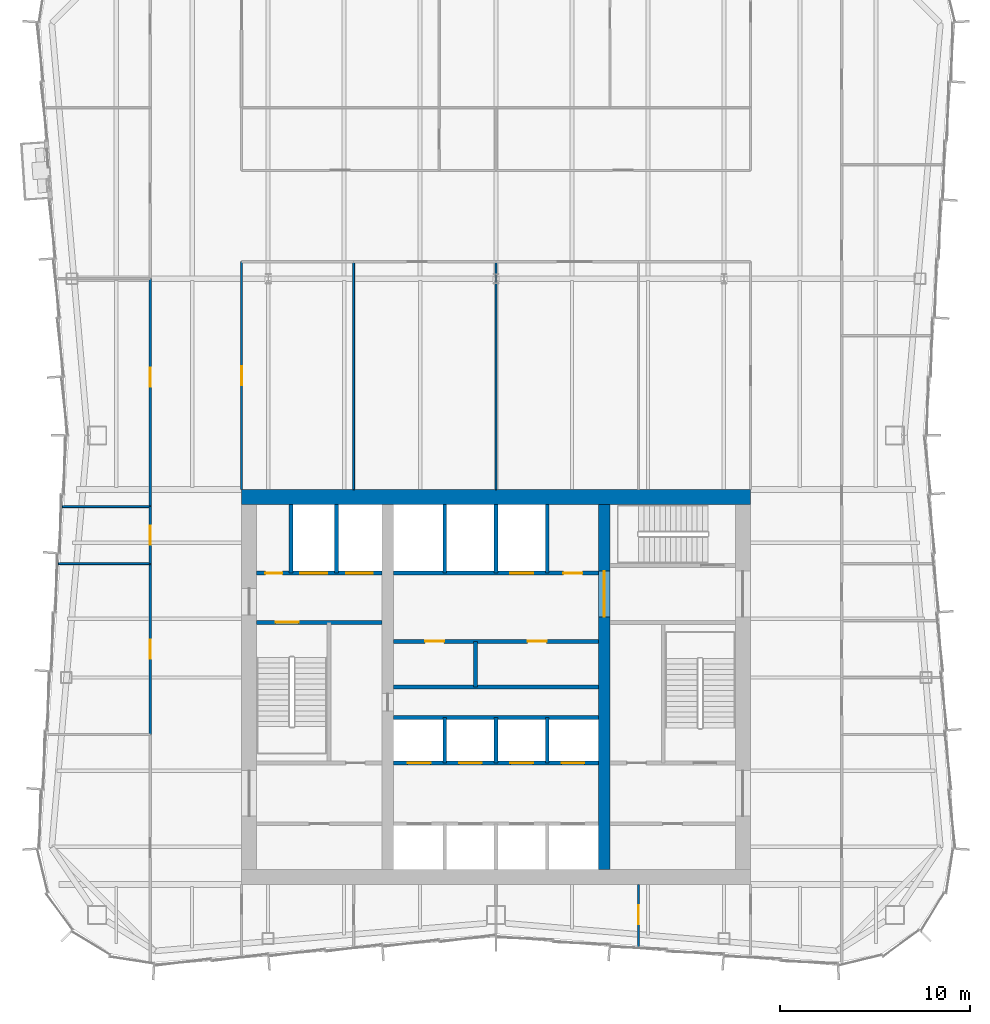
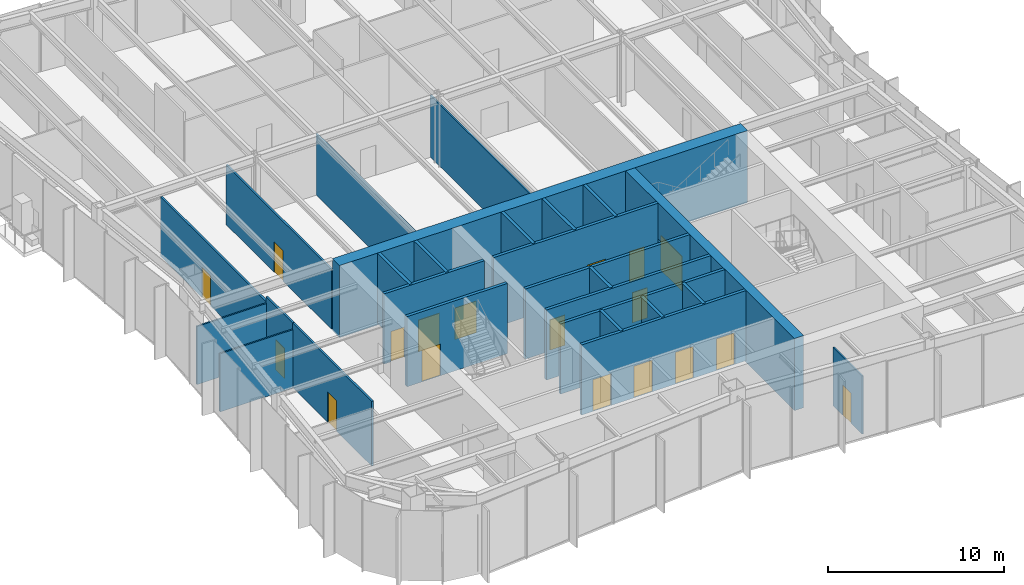
# One storey, part 11 of 15: 27 walls, 18 doors, 18 openings.
"""IFC4 building model written with IfcOpenShell, lengths in metres."""

from ifc_helpers import new_model, si_unit, direction, frame, frame_2d, origin, place, context, subcontext, project, spatial, rectangle, extrude, material, layer, layer_set, type_object, element, fill, save


model = new_model("IFC4")

# Units and contexts
model_context = context("Model", 3, precision=1e-05, world=origin(), true_north=direction((0.0, 1.0)))
body_context = subcontext(model_context, "Body", "Model", "MODEL_VIEW")
ifc_project = project(units=[si_unit("LENGTHUNIT", "METRE"), si_unit("AREAUNIT", "SQUARE_METRE"), si_unit("VOLUMEUNIT", "CUBIC_METRE"), si_unit("PLANEANGLEUNIT", "RADIAN"), si_unit("MASSUNIT", "GRAM", prefix="KILO")], contexts=[model_context])

# Site, building, storey
site_placement = place(None, origin())
site = spatial("IfcSite", under=ifc_project, at=site_placement, CompositionType="ELEMENT")
building_placement = place(site_placement, origin())
building = spatial("IfcBuilding", under=site, at=building_placement, Name="Verdant Reach Tower", CompositionType="ELEMENT")
storey_placement = place(building_placement, frame((0.0, 0.0, 233.0)))
storey = spatial("IfcBuildingStorey", under=building, at=storey_placement, Name="L53", CompositionType="ELEMENT", Elevation=233.0)

# Wall
ifc_material_1 = material(Name="Gypsum board on steel studs", Category="steel")
ifc_layer_1 = layer(ifc_material_1, 0.199951171875)
ifc_layer_set_1 = layer_set([ifc_layer_1], Name="CO-WALL-ROOM")
wall_type_1 = type_object("IfcWallType", Name="CO-WALL-ROOM", PredefinedType="PARTITIONING", material=ifc_layer_set_1)
wall_1_placement = place(storey_placement, frame((-5.39990234375, 28.0, 0.0), z_axis=(0.0, 0.0, 1.0), x_axis=(1.0, 0.0, 0.0)))
element("IfcWall", 1, at=wall_1_placement, inside=storey, type_object=wall_type_1, Name="Core partition, L53", PredefinedType="PARTITIONING", context=body_context, shape_type="SweptSolid", body=[
    extrude(rectangle(XDim=10.7998046875, YDim=0.199951171875, at=frame_2d((5.39990234375, 0.0))), origin(), (0.0, 0.0, 1.0), 4.8701171875),
])

# Wall, openings, doors
wall_2_placement = place(storey_placement, frame((-5.39990234375, 30.39990234375, 0.0), z_axis=(0.0, 0.0, 1.0), x_axis=(1.0, 0.0, 0.0)))
wall_2 = element("IfcWall", 2, at=wall_2_placement, inside=storey, type_object=wall_type_1, Name="Core partition, L53", PredefinedType="PARTITIONING", context=body_context, shape_type="SweptSolid", body=[
    extrude(rectangle(XDim=10.7998046875, YDim=0.199951171875, at=frame_2d((5.39990234375, 0.0))), origin(), (0.0, 0.0, 1.0), 4.8701171875),
])
opening_1_placement = place(wall_2_placement, frame((1.659912109375, 0.0, 0.0)))
opening_1 = element("IfcOpeningElement", 3, at=opening_1_placement, cuts=wall_2, Name="Opening CD", PredefinedType="OPENING", context=body_context, shape_type="SweptSolid", body=[
    extrude(rectangle(XDim=1.0, YDim=2.10009765625, at=frame_2d((0.5, 1.050048828125))), frame((0.0, 0.10986328125, 0.0), z_axis=(0.0, -1.0, 0.0), x_axis=(1.0, 0.0, 0.0)), (0.0, 0.0, 1.0), 0.219970703125),
])
opening_2_placement = place(wall_2_placement, frame((7.06005859375, 0.0, 0.0)))
opening_2 = element("IfcOpeningElement", 4, at=opening_2_placement, cuts=wall_2, Name="Opening CD", PredefinedType="OPENING", context=body_context, shape_type="SweptSolid", body=[
    extrude(rectangle(XDim=1.0, YDim=2.10009765625, at=frame_2d((0.5, 1.050048828125))), frame((0.0, 0.10986328125, 0.0), z_axis=(0.0, -1.0, 0.0), x_axis=(1.0, 0.0, 0.0)), (0.0, 0.0, 1.0), 0.219970703125),
])
ifc_material_2 = material(Name="Timber", Category="wood")
door_type_1 = type_object("IfcDoorType", Name="CO-DOOR-ROOM", OperationType="NOTDEFINED", PredefinedType="DOOR", material=ifc_material_2)
door_1_placement = place(opening_1_placement, origin())
door_1 = element("IfcDoor", 5, at=door_1_placement, inside=storey, type_object=door_type_1, Name="Core room door, L53", OperationType="SINGLE_SWING_RIGHT", OverallHeight=2.10009765625, OverallWidth=1.0, PredefinedType="DOOR", context=body_context, shape_type="SweptSolid", body=[
    extrude(rectangle(XDim=1.0, YDim=2.10009765625, at=frame_2d((0.5, 1.050048828125))), frame((0.0, 0.02490234375, 0.0), z_axis=(0.0, -1.0, 0.0), x_axis=(1.0, 0.0, 0.0)), (0.0, 0.0, 1.0), 0.050048828125),
])
fill(opening_1, door_1)
door_2_placement = place(opening_2_placement, origin())
door_2 = element("IfcDoor", 6, at=door_2_placement, inside=storey, type_object=door_type_1, Name="Core room door, L53", OperationType="SINGLE_SWING_LEFT", OverallHeight=2.10009765625, OverallWidth=1.0, PredefinedType="DOOR", context=body_context, shape_type="SweptSolid", body=[
    extrude(rectangle(XDim=1.0, YDim=2.10009765625, at=frame_2d((0.5, 1.050048828125))), frame((0.0, 0.02490234375, 0.0), z_axis=(0.0, -1.0, 0.0), x_axis=(1.0, 0.0, 0.0)), (0.0, 0.0, 1.0), 0.050048828125),
])
fill(opening_2, door_2)

# Wall
wall_3_placement = place(storey_placement, frame((-1.080078125, 28.0, 0.0), z_axis=(0.0, 0.0, 1.0), x_axis=(0.0, 1.0, 0.0)))
element("IfcWall", 7, at=wall_3_placement, inside=storey, type_object=wall_type_1, Name="Core partition, L53", PredefinedType="PARTITIONING", context=body_context, shape_type="SweptSolid", body=[
    extrude(rectangle(XDim=2.39990234375, YDim=0.199951171875, at=frame_2d((1.199951171875, 0.0))), origin(), (0.0, 0.0, 1.0), 4.8701171875),
])

# Wall, openings, doors
ifc_material_3 = material(Name="Concrete C40/50", Category="concrete")
ifc_layer_2 = layer(ifc_material_3, 0.199951171875)
ifc_layer_set_2 = layer_set([ifc_layer_2], Name="CO-WALL-SHAFT")
wall_type_2 = type_object("IfcWallType", Name="CO-WALL-SHAFT", PredefinedType="PARTITIONING", material=ifc_layer_set_2)
wall_4_placement = place(storey_placement, frame((-5.39990234375, 24.0, 0.0), z_axis=(0.0, 0.0, 1.0), x_axis=(1.0, 0.0, 0.0)))
wall_4 = element("IfcWall", 8, at=wall_4_placement, inside=storey, type_object=wall_type_2, Name="Lift shaft wall, L53", PredefinedType="PARTITIONING", context=body_context, shape_type="SweptSolid", body=[
    extrude(rectangle(XDim=10.7998046875, YDim=0.199951171875, at=frame_2d((5.39990234375, 0.0))), origin(), (0.0, 0.0, 1.0), 4.8701171875),
])
opening_3_placement = place(wall_4_placement, frame((0.75, 0.0, 0.0)))
opening_3 = element("IfcOpeningElement", 9, at=opening_3_placement, cuts=wall_4, Name="Opening LD-A5", PredefinedType="OPENING", context=body_context, shape_type="SweptSolid", body=[
    extrude(rectangle(XDim=1.199951171875, YDim=2.199951171875, at=frame_2d((0.60009765625, 1.10009765625))), frame((0.0, 0.10986328125, 0.0), z_axis=(0.0, -1.0, 0.0), x_axis=(1.0, 0.0, 0.0)), (0.0, 0.0, 1.0), 0.219970703125),
])
opening_4_placement = place(wall_4_placement, frame((3.449951171875, 0.0, 0.0)))
opening_4 = element("IfcOpeningElement", 10, at=opening_4_placement, cuts=wall_4, Name="Opening LD-A6", PredefinedType="OPENING", context=body_context, shape_type="SweptSolid", body=[
    extrude(rectangle(XDim=1.199951171875, YDim=2.199951171875, at=frame_2d((0.60009765625, 1.10009765625))), frame((0.0, 0.10986328125, 0.0), z_axis=(0.0, -1.0, 0.0), x_axis=(1.0, 0.0, 0.0)), (0.0, 0.0, 1.0), 0.219970703125),
])
opening_5_placement = place(wall_4_placement, frame((6.14990234375, 0.0, 0.0)))
opening_5 = element("IfcOpeningElement", 11, at=opening_5_placement, cuts=wall_4, Name="Opening LD-A7", PredefinedType="OPENING", context=body_context, shape_type="SweptSolid", body=[
    extrude(rectangle(XDim=1.199951171875, YDim=2.199951171875, at=frame_2d((0.60009765625, 1.10009765625))), frame((0.0, 0.10986328125, 0.0), z_axis=(0.0, -1.0, 0.0), x_axis=(1.0, 0.0, 0.0)), (0.0, 0.0, 1.0), 0.219970703125),
])
opening_6_placement = place(wall_4_placement, frame((8.85009765625, 0.0, 0.0)))
opening_6 = element("IfcOpeningElement", 12, at=opening_6_placement, cuts=wall_4, Name="Opening LD-A8", PredefinedType="OPENING", context=body_context, shape_type="SweptSolid", body=[
    extrude(rectangle(XDim=1.199951171875, YDim=2.199951171875, at=frame_2d((0.60009765625, 1.10009765625))), frame((0.0, 0.10986328125, 0.0), z_axis=(0.0, -1.0, 0.0), x_axis=(1.0, 0.0, 0.0)), (0.0, 0.0, 1.0), 0.219970703125),
])
ifc_material_4 = material(Name="Stainless steel", Category="steel")
door_type_2 = type_object("IfcDoorType", Name="CO-DOOR-LANDING", OperationType="SLIDING_TO_LEFT", PredefinedType="DOOR", material=ifc_material_4)
door_3_placement = place(opening_3_placement, origin())
door_3 = element("IfcDoor", 13, at=door_3_placement, inside=storey, type_object=door_type_2, Name="Landing door A5, L53", OperationType="SLIDING_TO_LEFT", OverallHeight=2.199951171875, OverallWidth=1.199951171875, PredefinedType="DOOR", context=body_context, shape_type="SweptSolid", body=[
    extrude(rectangle(XDim=1.199951171875, YDim=2.199951171875, at=frame_2d((0.60009765625, 1.10009765625))), frame((0.0, 0.02490234375, 0.0), z_axis=(0.0, -1.0, 0.0), x_axis=(1.0, 0.0, 0.0)), (0.0, 0.0, 1.0), 0.050048828125),
])
fill(opening_3, door_3)
door_4_placement = place(opening_4_placement, origin())
door_4 = element("IfcDoor", 14, at=door_4_placement, inside=storey, type_object=door_type_2, Name="Landing door A6, L53", OperationType="SLIDING_TO_LEFT", OverallHeight=2.199951171875, OverallWidth=1.199951171875, PredefinedType="DOOR", context=body_context, shape_type="SweptSolid", body=[
    extrude(rectangle(XDim=1.199951171875, YDim=2.199951171875, at=frame_2d((0.60009765625, 1.10009765625))), frame((0.0, 0.02490234375, 0.0), z_axis=(0.0, -1.0, 0.0), x_axis=(1.0, 0.0, 0.0)), (0.0, 0.0, 1.0), 0.050048828125),
])
fill(opening_4, door_4)
door_5_placement = place(opening_5_placement, origin())
door_5 = element("IfcDoor", 15, at=door_5_placement, inside=storey, type_object=door_type_2, Name="Landing door A7, L53", OperationType="SLIDING_TO_LEFT", OverallHeight=2.199951171875, OverallWidth=1.199951171875, PredefinedType="DOOR", context=body_context, shape_type="SweptSolid", body=[
    extrude(rectangle(XDim=1.199951171875, YDim=2.199951171875, at=frame_2d((0.60009765625, 1.10009765625))), frame((0.0, 0.02490234375, 0.0), z_axis=(0.0, -1.0, 0.0), x_axis=(1.0, 0.0, 0.0)), (0.0, 0.0, 1.0), 0.050048828125),
])
fill(opening_5, door_5)
door_6_placement = place(opening_6_placement, origin())
door_6 = element("IfcDoor", 16, at=door_6_placement, inside=storey, type_object=door_type_2, Name="Landing door A8, L53", OperationType="SLIDING_TO_LEFT", OverallHeight=2.199951171875, OverallWidth=1.199951171875, PredefinedType="DOOR", context=body_context, shape_type="SweptSolid", body=[
    extrude(rectangle(XDim=1.199951171875, YDim=2.199951171875, at=frame_2d((0.60009765625, 1.10009765625))), frame((0.0, 0.02490234375, 0.0), z_axis=(0.0, -1.0, 0.0), x_axis=(1.0, 0.0, 0.0)), (0.0, 0.0, 1.0), 0.050048828125),
])
fill(opening_6, door_6)

# Wall
wall_5_placement = place(storey_placement, frame((-5.39990234375, 26.39990234375, 0.0), z_axis=(0.0, 0.0, 1.0), x_axis=(1.0, 0.0, 0.0)))
element("IfcWall", 17, at=wall_5_placement, inside=storey, type_object=wall_type_2, Name="Lift shaft wall, L53", PredefinedType="PARTITIONING", context=body_context, shape_type="SweptSolid", body=[
    extrude(rectangle(XDim=10.7998046875, YDim=0.199951171875, at=frame_2d((5.39990234375, 0.0))), origin(), (0.0, 0.0, 1.0), 4.8701171875),
])

# Wall, openings, doors
wall_6_placement = place(storey_placement, frame((-12.60009765625, 34.0, 0.0), z_axis=(0.0, 0.0, 1.0), x_axis=(1.0, 0.0, 0.0)))
wall_6 = element("IfcWall", 18, at=wall_6_placement, inside=storey, type_object=wall_type_2, Name="Lift shaft wall, L53", PredefinedType="PARTITIONING", context=body_context, shape_type="SweptSolid", body=[
    extrude(rectangle(XDim=6.60009765625, YDim=0.199951171875, at=frame_2d((3.300048828125, 0.0))), origin(), (0.0, 0.0, 1.0), 4.8701171875),
])
opening_7_placement = place(wall_6_placement, frame((4.699951171875, 0.0, 0.0)))
opening_7 = element("IfcOpeningElement", 19, at=opening_7_placement, cuts=wall_6, Name="Opening LD-F1", PredefinedType="OPENING", context=body_context, shape_type="SweptSolid", body=[
    extrude(rectangle(XDim=1.39990234375, YDim=2.199951171875, at=frame_2d((0.699951171875, 1.10009765625))), frame((0.0, 0.10986328125, 0.0), z_axis=(0.0, -1.0, 0.0), x_axis=(1.0, 0.0, 0.0)), (0.0, 0.0, 1.0), 0.219970703125),
])
opening_8_placement = place(wall_6_placement, frame((2.300048828125, 0.0, 0.0)))
opening_8 = element("IfcOpeningElement", 20, at=opening_8_placement, cuts=wall_6, Name="Opening LD-F2", PredefinedType="OPENING", context=body_context, shape_type="SweptSolid", body=[
    extrude(rectangle(XDim=1.39990234375, YDim=2.199951171875, at=frame_2d((0.699951171875, 1.10009765625))), frame((0.0, 0.10986328125, 0.0), z_axis=(0.0, -1.0, 0.0), x_axis=(1.0, 0.0, 0.0)), (0.0, 0.0, 1.0), 0.219970703125),
])
opening_9_placement = place(wall_6_placement, frame((0.449951171875, 0.0, 0.0)))
opening_9 = element("IfcOpeningElement", 21, at=opening_9_placement, cuts=wall_6, Name="Opening RD", PredefinedType="OPENING", context=body_context, shape_type="SweptSolid", body=[
    extrude(rectangle(XDim=0.89990234375, YDim=2.10009765625, at=frame_2d((0.449951171875, 1.050048828125))), frame((0.0, 0.10986328125, 0.0), z_axis=(0.0, -1.0, 0.0), x_axis=(1.0, 0.0, 0.0)), (0.0, 0.0, 1.0), 0.219970703125),
])
door_type_3 = type_object("IfcDoorType", Name="CO-DOOR-LANDING-FF", OperationType="SLIDING_TO_LEFT", PredefinedType="DOOR", material=ifc_material_4)
door_7_placement = place(opening_7_placement, origin())
door_7 = element("IfcDoor", 22, at=door_7_placement, inside=storey, type_object=door_type_3, Name="Landing door F1, L53", OperationType="SLIDING_TO_LEFT", OverallHeight=2.199951171875, OverallWidth=1.39990234375, PredefinedType="DOOR", context=body_context, shape_type="SweptSolid", body=[
    extrude(rectangle(XDim=1.39990234375, YDim=2.199951171875, at=frame_2d((0.699951171875, 1.10009765625))), frame((0.0, 0.02490234375, 0.0), z_axis=(0.0, -1.0, 0.0), x_axis=(1.0, 0.0, 0.0)), (0.0, 0.0, 1.0), 0.050048828125),
])
fill(opening_7, door_7)
door_8_placement = place(opening_8_placement, origin())
door_8 = element("IfcDoor", 23, at=door_8_placement, inside=storey, type_object=door_type_3, Name="Landing door F2, L53", OperationType="SLIDING_TO_LEFT", OverallHeight=2.199951171875, OverallWidth=1.39990234375, PredefinedType="DOOR", context=body_context, shape_type="SweptSolid", body=[
    extrude(rectangle(XDim=1.39990234375, YDim=2.199951171875, at=frame_2d((0.699951171875, 1.10009765625))), frame((0.0, 0.02490234375, 0.0), z_axis=(0.0, -1.0, 0.0), x_axis=(1.0, 0.0, 0.0)), (0.0, 0.0, 1.0), 0.050048828125),
])
fill(opening_8, door_8)
ifc_material_5 = material(Name="Steel", Category="steel")
door_type_4 = type_object("IfcDoorType", Name="CO-DOOR-RISER", OperationType="NOTDEFINED", PredefinedType="DOOR", material=ifc_material_5)
door_9_placement = place(opening_9_placement, origin())
door_9 = element("IfcDoor", 24, at=door_9_placement, inside=storey, type_object=door_type_4, Name="Core room door, L53", OperationType="SINGLE_SWING_RIGHT", OverallHeight=2.10009765625, OverallWidth=0.89990234375, PredefinedType="DOOR", context=body_context, shape_type="SweptSolid", body=[
    extrude(rectangle(XDim=0.89990234375, YDim=2.10009765625, at=frame_2d((0.449951171875, 1.050048828125))), frame((0.0, 0.02490234375, 0.0), z_axis=(0.0, -1.0, 0.0), x_axis=(1.0, 0.0, 0.0)), (0.0, 0.0, 1.0), 0.050048828125),
])
fill(opening_9, door_9)

wall_7_placement = place(storey_placement, frame((-5.39990234375, 34.0, 0.0), z_axis=(0.0, 0.0, 1.0), x_axis=(1.0, 0.0, 0.0)))
wall_7 = element("IfcWall", 25, at=wall_7_placement, inside=storey, type_object=wall_type_2, Name="Lift shaft wall, L53", PredefinedType="PARTITIONING", context=body_context, shape_type="SweptSolid", body=[
    extrude(rectangle(XDim=10.7998046875, YDim=0.199951171875, at=frame_2d((5.39990234375, 0.0))), origin(), (0.0, 0.0, 1.0), 4.8701171875),
])
opening_10_placement = place(wall_7_placement, frame((6.14990234375, 0.0, 0.0)))
opening_10 = element("IfcOpeningElement", 26, at=opening_10_placement, cuts=wall_7, Name="Opening LD-SL1", PredefinedType="OPENING", context=body_context, shape_type="SweptSolid", body=[
    extrude(rectangle(XDim=1.199951171875, YDim=2.199951171875, at=frame_2d((0.60009765625, 1.10009765625))), frame((0.0, 0.10986328125, 0.0), z_axis=(0.0, -1.0, 0.0), x_axis=(1.0, 0.0, 0.0)), (0.0, 0.0, 1.0), 0.219970703125),
])
opening_11_placement = place(wall_7_placement, frame((8.949951171875, 0.0, 0.0)))
opening_11 = element("IfcOpeningElement", 27, at=opening_11_placement, cuts=wall_7, Name="Opening CD", PredefinedType="OPENING", context=body_context, shape_type="SweptSolid", body=[
    extrude(rectangle(XDim=1.0, YDim=2.10009765625, at=frame_2d((0.5, 1.050048828125))), frame((0.0, 0.10986328125, 0.0), z_axis=(0.0, -1.0, 0.0), x_axis=(1.0, 0.0, 0.0)), (0.0, 0.0, 1.0), 0.219970703125),
])
door_10_placement = place(opening_10_placement, origin())
door_10 = element("IfcDoor", 28, at=door_10_placement, inside=storey, type_object=door_type_2, Name="Landing door SL1, L53", OperationType="SLIDING_TO_LEFT", OverallHeight=2.199951171875, OverallWidth=1.199951171875, PredefinedType="DOOR", context=body_context, shape_type="SweptSolid", body=[
    extrude(rectangle(XDim=1.199951171875, YDim=2.199951171875, at=frame_2d((0.60009765625, 1.10009765625))), frame((0.0, 0.02490234375, 0.0), z_axis=(0.0, -1.0, 0.0), x_axis=(1.0, 0.0, 0.0)), (0.0, 0.0, 1.0), 0.050048828125),
])
fill(opening_10, door_10)
door_11_placement = place(opening_11_placement, origin())
door_11 = element("IfcDoor", 29, at=door_11_placement, inside=storey, type_object=door_type_1, Name="Core room door, L53", OperationType="SINGLE_SWING_LEFT", OverallHeight=2.10009765625, OverallWidth=1.0, PredefinedType="DOOR", context=body_context, shape_type="SweptSolid", body=[
    extrude(rectangle(XDim=1.0, YDim=2.10009765625, at=frame_2d((0.5, 1.050048828125))), frame((0.0, 0.02490234375, 0.0), z_axis=(0.0, -1.0, 0.0), x_axis=(1.0, 0.0, 0.0)), (0.0, 0.0, 1.0), 0.050048828125),
])
fill(opening_11, door_11)

# Walls
for number, where, z_axis, x_axis, name in (
    (30, (-10.800048828125, 34.0, 0.0), (0.0, 0.0, 1.0), (0.0, 1.0, 0.0), "Lift shaft wall, L53"),
    (31, (-8.39990234375, 34.0, 0.0), (0.0, 0.0, 1.0), (0.0, 1.0, 0.0), "Lift shaft wall, L53"),
):
    element("IfcWall", number, at=place(storey_placement, frame(where, z_axis=z_axis, x_axis=x_axis)), inside=storey, type_object=wall_type_2, Name=name, PredefinedType="PARTITIONING", context=body_context, shape_type="SweptSolid", body=[
        extrude(rectangle(XDim=3.60009765625, YDim=0.199951171875, at=frame_2d((1.800048828125, 0.0))), origin(), (0.0, 0.0, 1.0), 4.8701171875),
    ])
wall_8_placement = place(storey_placement, frame((-2.699951171875, 24.0, 0.0), z_axis=(0.0, 0.0, 1.0), x_axis=(0.0, 1.0, 0.0)))
element("IfcWall", 32, at=wall_8_placement, inside=storey, type_object=wall_type_2, Name="Lift shaft wall, L53", PredefinedType="PARTITIONING", context=body_context, shape_type="SweptSolid", body=[
    extrude(rectangle(XDim=2.39990234375, YDim=0.199951171875, at=frame_2d((1.199951171875, 0.0))), origin(), (0.0, 0.0, 1.0), 4.8701171875),
])
wall_9_placement = place(storey_placement, frame((-2.699951171875, 34.0, 0.0), z_axis=(0.0, 0.0, 1.0), x_axis=(0.0, 1.0, 0.0)))
element("IfcWall", 33, at=wall_9_placement, inside=storey, type_object=wall_type_2, Name="Lift shaft wall, L53", PredefinedType="PARTITIONING", context=body_context, shape_type="SweptSolid", body=[
    extrude(rectangle(XDim=3.60009765625, YDim=0.199951171875, at=frame_2d((1.800048828125, 0.0))), origin(), (0.0, 0.0, 1.0), 4.8701171875),
])
wall_10_placement = place(storey_placement, frame((0.0, 24.0, 0.0), z_axis=(0.0, 0.0, 1.0), x_axis=(0.0, 1.0, 0.0)))
element("IfcWall", 34, at=wall_10_placement, inside=storey, type_object=wall_type_2, Name="Lift shaft wall, L53", PredefinedType="PARTITIONING", context=body_context, shape_type="SweptSolid", body=[
    extrude(rectangle(XDim=2.39990234375, YDim=0.199951171875, at=frame_2d((1.199951171875, 0.0))), origin(), (0.0, 0.0, 1.0), 4.8701171875),
])
wall_11_placement = place(storey_placement, frame((0.0, 34.0, 0.0), z_axis=(0.0, 0.0, 1.0), x_axis=(0.0, 1.0, 0.0)))
element("IfcWall", 35, at=wall_11_placement, inside=storey, type_object=wall_type_2, Name="Lift shaft wall, L53", PredefinedType="PARTITIONING", context=body_context, shape_type="SweptSolid", body=[
    extrude(rectangle(XDim=3.60009765625, YDim=0.199951171875, at=frame_2d((1.800048828125, 0.0))), origin(), (0.0, 0.0, 1.0), 4.8701171875),
])
wall_12_placement = place(storey_placement, frame((2.699951171875, 24.0, 0.0), z_axis=(0.0, 0.0, 1.0), x_axis=(0.0, 1.0, 0.0)))
element("IfcWall", 36, at=wall_12_placement, inside=storey, type_object=wall_type_2, Name="Lift shaft wall, L53", PredefinedType="PARTITIONING", context=body_context, shape_type="SweptSolid", body=[
    extrude(rectangle(XDim=2.39990234375, YDim=0.199951171875, at=frame_2d((1.199951171875, 0.0))), origin(), (0.0, 0.0, 1.0), 4.8701171875),
])
wall_13_placement = place(storey_placement, frame((2.699951171875, 34.0, 0.0), z_axis=(0.0, 0.0, 1.0), x_axis=(0.0, 1.0, 0.0)))
element("IfcWall", 37, at=wall_13_placement, inside=storey, type_object=wall_type_2, Name="Lift shaft wall, L53", PredefinedType="PARTITIONING", context=body_context, shape_type="SweptSolid", body=[
    extrude(rectangle(XDim=3.60009765625, YDim=0.199951171875, at=frame_2d((1.800048828125, 0.0))), origin(), (0.0, 0.0, 1.0), 4.8701171875),
])

# Wall, opening, door
ifc_layer_3 = layer(ifc_material_3, 0.199951171875)
ifc_layer_set_3 = layer_set([ifc_layer_3], Name="CO-WALL-STAIR")
wall_type_3 = type_object("IfcWallType", Name="CO-WALL-STAIR", PredefinedType="PARTITIONING", material=ifc_layer_set_3)
wall_14_placement = place(storey_placement, frame((-12.60009765625, 31.39990234375, 0.0), z_axis=(0.0, 0.0, 1.0), x_axis=(1.0, 0.0, 0.0)))
wall_14 = element("IfcWall", 38, at=wall_14_placement, inside=storey, type_object=wall_type_3, Name="Stair enclosure wall, L53", PredefinedType="PARTITIONING", context=body_context, shape_type="SweptSolid", body=[
    extrude(rectangle(XDim=6.60009765625, YDim=0.199951171875, at=frame_2d((3.300048828125, 0.0))), origin(), (0.0, 0.0, 1.0), 4.8701171875),
])
opening_12_placement = place(wall_14_placement, frame((1.0, 0.0, 0.0)))
opening_12 = element("IfcOpeningElement", 39, at=opening_12_placement, cuts=wall_14, Name="Opening SD", PredefinedType="OPENING", context=body_context, shape_type="SweptSolid", body=[
    extrude(rectangle(XDim=1.199951171875, YDim=2.199951171875, at=frame_2d((0.60009765625, 1.10009765625))), frame((0.0, 0.10986328125, 0.0), z_axis=(0.0, -1.0, 0.0), x_axis=(1.0, 0.0, 0.0)), (0.0, 0.0, 1.0), 0.219970703125),
])
door_type_5 = type_object("IfcDoorType", Name="CO-DOOR-STAIR", OperationType="NOTDEFINED", PredefinedType="DOOR", material=ifc_material_5)
door_12_placement = place(opening_12_placement, origin())
door_12 = element("IfcDoor", 40, at=door_12_placement, inside=storey, type_object=door_type_5, Name="Stair door, L53", OperationType="SINGLE_SWING_RIGHT", OverallHeight=2.199951171875, OverallWidth=1.199951171875, PredefinedType="DOOR", context=body_context, shape_type="SweptSolid", body=[
    extrude(rectangle(XDim=1.199951171875, YDim=2.199951171875, at=frame_2d((0.60009765625, 1.10009765625))), frame((0.0, 0.02490234375, 0.0), z_axis=(0.0, -1.0, 0.0), x_axis=(1.0, 0.0, 0.0)), (0.0, 0.0, 1.0), 0.050048828125),
])
fill(opening_12, door_12)

# Walls
ifc_layer_4 = layer(ifc_material_1, 0.10009765625)
ifc_layer_set_4 = layer_set([ifc_layer_4], Name="FL-W1 Partition 100")
wall_type_4 = type_object("IfcWallType", Name="FL-W1 Partition 100", PredefinedType="PARTITIONING", material=ifc_layer_set_4)
wall_15_placement = place(storey_placement, frame((-18.199951171875, 34.5, 0.0), z_axis=(0.0, 0.0, 1.0), x_axis=(-1.0, 0.0, 0.0)))
element("IfcWall", 41, at=wall_15_placement, inside=storey, type_object=wall_type_4, Name="Partition 53.31", PredefinedType="PARTITIONING", context=body_context, shape_type="SweptSolid", body=[
    extrude(rectangle(XDim=4.845458984375, YDim=0.10009765625, at=frame_2d((2.4228515625, 0.0))), origin(), (0.0, 0.0, 1.0), 4.0400390625),
])
wall_16_placement = place(storey_placement, frame((-18.199951171875, 37.5, 0.0), z_axis=(0.0, 0.0, 1.0), x_axis=(-1.0, 0.0, 0.0)))
element("IfcWall", 42, at=wall_16_placement, inside=storey, type_object=wall_type_4, Name="Partition 53.32", PredefinedType="PARTITIONING", context=body_context, shape_type="SweptSolid", body=[
    extrude(rectangle(XDim=4.638671875, YDim=0.10009765625, at=frame_2d((2.3193359375, 0.0))), origin(), (0.0, 0.0, 1.0), 4.0400390625),
])

# Wall, opening, door
wall_17_placement = place(storey_placement, frame((7.5, 14.294921875, 0.0), z_axis=(0.0, 0.0, 1.0), x_axis=(0.0, 1.0, 0.0)))
wall_17 = element("IfcWall", 43, at=wall_17_placement, inside=storey, type_object=wall_type_4, Name="Partition 53.44", PredefinedType="PARTITIONING", context=body_context, shape_type="SweptSolid", body=[
    extrude(rectangle(XDim=3.30517578125, YDim=0.10009765625, at=frame_2d((1.652587890625, 0.0))), origin(), (0.0, 0.0, 1.0), 4.0400390625),
])
opening_13_placement = place(wall_17_placement, frame((1.217529296875, 0.0, 0.0)))
opening_13 = element("IfcOpeningElement", 44, at=opening_13_placement, cuts=wall_17, Name="Opening D3", PredefinedType="OPENING", context=body_context, shape_type="SweptSolid", body=[
    extrude(rectangle(XDim=1.0, YDim=2.10009765625, at=frame_2d((0.5, 1.050048828125))), frame((0.0, 0.06005859375, 0.0), z_axis=(0.0, -1.0, 0.0), x_axis=(1.0, 0.0, 0.0)), (0.0, 0.0, 1.0), 0.1201171875),
])
ifc_material_6 = material(Name="Painted timber door leaf", Category="wood")
door_type_6 = type_object("IfcDoorType", Name="FL-D3 Door 1000x2100", OperationType="NOTDEFINED", PredefinedType="DOOR", material=ifc_material_6)
door_13_placement = place(opening_13_placement, origin())
door_13 = element("IfcDoor", 45, at=door_13_placement, inside=storey, type_object=door_type_6, Name="Door 53-026", OperationType="SINGLE_SWING_RIGHT", OverallHeight=2.10009765625, OverallWidth=1.0, PredefinedType="DOOR", context=body_context, shape_type="SweptSolid", body=[
    extrude(rectangle(XDim=1.0, YDim=2.10009765625, at=frame_2d((0.5, 1.050048828125))), frame((0.0, 0.02490234375, 0.0), z_axis=(0.0, -1.0, 0.0), x_axis=(1.0, 0.0, 0.0)), (0.0, 0.0, 1.0), 0.050048828125),
])
fill(opening_13, door_13)

# Walls
wall_18_placement = place(storey_placement, frame((-7.5, 38.39990234375, 0.0), z_axis=(0.0, 0.0, 1.0), x_axis=(0.0, 1.0, 0.0)))
element("IfcWall", 46, at=wall_18_placement, inside=storey, type_object=wall_type_4, Name="Partition 53.45", PredefinedType="PARTITIONING", context=body_context, shape_type="SweptSolid", body=[
    extrude(rectangle(XDim=12.0, YDim=0.10009765625, at=frame_2d((6.0, 0.0))), origin(), (0.0, 0.0, 1.0), 4.239990234375),
])
wall_19_placement = place(storey_placement, frame((0.0, 38.39990234375, 0.0), z_axis=(0.0, 0.0, 1.0), x_axis=(0.0, 1.0, 0.0)))
element("IfcWall", 47, at=wall_19_placement, inside=storey, type_object=wall_type_4, Name="Partition 53.46", PredefinedType="PARTITIONING", context=body_context, shape_type="SweptSolid", body=[
    extrude(rectangle(XDim=12.0, YDim=0.10009765625, at=frame_2d((6.0, 0.0))), origin(), (0.0, 0.0, 1.0), 4.2900390625),
])

# Wall, opening, door
ifc_material_7 = material(Name="Gypsum board on steel studs, fire rated", Category="steel")
ifc_layer_5 = layer(ifc_material_7, 0.125)
ifc_layer_set_5 = layer_set([ifc_layer_5], Name="FL-W2 Corridor wall 125")
wall_type_5 = type_object("IfcWallType", Name="FL-W2 Corridor wall 125", PredefinedType="PARTITIONING", material=ifc_layer_set_5)
wall_20_placement = place(storey_placement, frame((-18.199951171875, 25.5, 0.0), z_axis=(0.0, 0.0, 1.0), x_axis=(0.0, 1.0, 0.0)))
wall_20 = element("IfcWall", 48, at=wall_20_placement, inside=storey, type_object=wall_type_5, Name="Partition 53.02", PredefinedType="PARTITIONING", context=body_context, shape_type="SweptSolid", body=[
    extrude(rectangle(XDim=9.0, YDim=0.125, at=frame_2d((4.5, 0.0))), origin(), (0.0, 0.0, 1.0), 4.47998046875),
])
opening_14_placement = place(wall_20_placement, frame((4.0, 0.0, 0.0)))
opening_14 = element("IfcOpeningElement", 49, at=opening_14_placement, cuts=wall_20, Name="Opening D2", PredefinedType="OPENING", context=body_context, shape_type="SweptSolid", body=[
    extrude(rectangle(XDim=1.0, YDim=2.10009765625, at=frame_2d((0.5, 1.050048828125))), frame((0.0, 0.072509765625, 0.0), z_axis=(0.0, -1.0, 0.0), x_axis=(1.0, 0.0, 0.0)), (0.0, 0.0, 1.0), 0.14501953125),
])
ifc_material_8 = material(Name="Timber door leaf, fire rated", Category="wood")
door_type_7 = type_object("IfcDoorType", Name="FL-D2 Entrance door 1000x2100 FD30", OperationType="NOTDEFINED", PredefinedType="DOOR", material=ifc_material_8)
door_14_placement = place(opening_14_placement, origin())
door_14 = element("IfcDoor", 50, at=door_14_placement, inside=storey, type_object=door_type_7, Name="Door 53-002", OperationType="SINGLE_SWING_RIGHT", OverallHeight=2.10009765625, OverallWidth=1.0, PredefinedType="DOOR", context=body_context, shape_type="SweptSolid", body=[
    extrude(rectangle(XDim=1.0, YDim=2.10009765625, at=frame_2d((0.5, 1.050048828125))), frame((0.0, 0.02490234375, 0.0), z_axis=(0.0, -1.0, 0.0), x_axis=(1.0, 0.0, 0.0)), (0.0, 0.0, 1.0), 0.050048828125),
])
fill(opening_14, door_14)

wall_21_placement = place(storey_placement, frame((-18.199951171875, 34.5, 0.0), z_axis=(0.0, 0.0, 1.0), x_axis=(0.0, 1.0, 0.0)))
wall_21 = element("IfcWall", 51, at=wall_21_placement, inside=storey, type_object=wall_type_5, Name="Partition 53.03", PredefinedType="PARTITIONING", context=body_context, shape_type="SweptSolid", body=[
    extrude(rectangle(XDim=3.0, YDim=0.125, at=frame_2d((1.5, 0.0))), origin(), (0.0, 0.0, 1.0), 4.47998046875),
])
opening_15_placement = place(wall_21_placement, frame((1.0, 0.0, 0.0)))
opening_15 = element("IfcOpeningElement", 52, at=opening_15_placement, cuts=wall_21, Name="Opening D2", PredefinedType="OPENING", context=body_context, shape_type="SweptSolid", body=[
    extrude(rectangle(XDim=1.0, YDim=2.10009765625, at=frame_2d((0.5, 1.050048828125))), frame((0.0, 0.072509765625, 0.0), z_axis=(0.0, -1.0, 0.0), x_axis=(1.0, 0.0, 0.0)), (0.0, 0.0, 1.0), 0.14501953125),
])
door_15_placement = place(opening_15_placement, origin())
door_15 = element("IfcDoor", 53, at=door_15_placement, inside=storey, type_object=door_type_7, Name="Door 53-003", OperationType="SINGLE_SWING_LEFT", OverallHeight=2.10009765625, OverallWidth=1.0, PredefinedType="DOOR", context=body_context, shape_type="SweptSolid", body=[
    extrude(rectangle(XDim=1.0, YDim=2.10009765625, at=frame_2d((0.5, 1.050048828125))), frame((0.0, 0.02490234375, 0.0), z_axis=(0.0, -1.0, 0.0), x_axis=(1.0, 0.0, 0.0)), (0.0, 0.0, 1.0), 0.050048828125),
])
fill(opening_15, door_15)

wall_22_placement = place(storey_placement, frame((-18.199951171875, 37.5, 0.0), z_axis=(0.0, 0.0, 1.0), x_axis=(0.0, 1.0, 0.0)))
wall_22 = element("IfcWall", 54, at=wall_22_placement, inside=storey, type_object=wall_type_5, Name="Partition 53.04", PredefinedType="PARTITIONING", context=body_context, shape_type="SweptSolid", body=[
    extrude(rectangle(XDim=12.0, YDim=0.125, at=frame_2d((6.0, 0.0))), origin(), (0.0, 0.0, 1.0), 4.139892578125),
])
opening_16_placement = place(wall_22_placement, frame((6.300048828125, 0.0, 0.0)))
opening_16 = element("IfcOpeningElement", 55, at=opening_16_placement, cuts=wall_22, Name="Opening D2", PredefinedType="OPENING", context=body_context, shape_type="SweptSolid", body=[
    extrude(rectangle(XDim=1.0, YDim=2.10009765625, at=frame_2d((0.5, 1.050048828125))), frame((0.0, 0.072509765625, 0.0), z_axis=(0.0, -1.0, 0.0), x_axis=(1.0, 0.0, 0.0)), (0.0, 0.0, 1.0), 0.14501953125),
])
door_16_placement = place(opening_16_placement, origin())
door_16 = element("IfcDoor", 56, at=door_16_placement, inside=storey, type_object=door_type_7, Name="Door 53-004", OperationType="SINGLE_SWING_RIGHT", OverallHeight=2.10009765625, OverallWidth=1.0, PredefinedType="DOOR", context=body_context, shape_type="SweptSolid", body=[
    extrude(rectangle(XDim=1.0, YDim=2.10009765625, at=frame_2d((0.5, 1.050048828125))), frame((0.0, 0.02490234375, 0.0), z_axis=(0.0, -1.0, 0.0), x_axis=(1.0, 0.0, 0.0)), (0.0, 0.0, 1.0), 0.050048828125),
])
fill(opening_16, door_16)

wall_23_placement = place(storey_placement, frame((-13.39990234375, 38.39990234375, 0.0), z_axis=(0.0, 0.0, 1.0), x_axis=(0.0, 1.0, 0.0)))
wall_23 = element("IfcWall", 57, at=wall_23_placement, inside=storey, type_object=wall_type_5, Name="Partition 53.17", PredefinedType="PARTITIONING", context=body_context, shape_type="SweptSolid", body=[
    extrude(rectangle(XDim=12.0, YDim=0.125, at=frame_2d((6.0, 0.0))), origin(), (0.0, 0.0, 1.0), 4.139892578125),
])
opening_17_placement = place(wall_23_placement, frame((5.5, 0.0, 0.0)))
opening_17 = element("IfcOpeningElement", 58, at=opening_17_placement, cuts=wall_23, Name="Opening D2", PredefinedType="OPENING", context=body_context, shape_type="SweptSolid", body=[
    extrude(rectangle(XDim=1.0, YDim=2.10009765625, at=frame_2d((0.5, 1.050048828125))), frame((0.0, 0.072509765625, 0.0), z_axis=(0.0, -1.0, 0.0), x_axis=(1.0, 0.0, 0.0)), (0.0, 0.0, 1.0), 0.14501953125),
])
door_17_placement = place(opening_17_placement, origin())
door_17 = element("IfcDoor", 59, at=door_17_placement, inside=storey, type_object=door_type_7, Name="Door 53-017", OperationType="SINGLE_SWING_LEFT", OverallHeight=2.10009765625, OverallWidth=1.0, PredefinedType="DOOR", context=body_context, shape_type="SweptSolid", body=[
    extrude(rectangle(XDim=1.0, YDim=2.10009765625, at=frame_2d((0.5, 1.050048828125))), frame((0.0, 0.02490234375, 0.0), z_axis=(0.0, -1.0, 0.0), x_axis=(1.0, 0.0, 0.0)), (0.0, 0.0, 1.0), 0.050048828125),
])
fill(opening_17, door_17)

ifc_material_9 = material(Name="Concrete C70/85", Category="concrete")
ifc_layer_6 = layer(ifc_material_9, 0.60009765625)
ifc_layer_set_6 = layer_set([ifc_layer_6], Name="ST-CORE-WALL-600")
wall_type_6 = type_object("IfcWallType", Name="ST-CORE-WALL-600", PredefinedType="SHEAR", material=ifc_layer_set_6)
wall_24_placement = place(storey_placement, frame((5.699951171875, 18.39990234375, -0.1298828125), z_axis=(0.0, 0.0, 1.0), x_axis=(0.0, 1.0, 0.0)))
wall_24 = element("IfcWall", 60, at=wall_24_placement, inside=storey, type_object=wall_type_6, Name="Core wall XE, L53", PredefinedType="SHEAR", context=body_context, shape_type="SweptSolid", body=[
    extrude(rectangle(XDim=19.2001953125, YDim=0.60009765625, at=frame_2d((9.60009765625, 0.0))), origin(), (0.0, 0.0, 1.0), 5.0),
])
opening_18_placement = place(wall_24_placement, frame((13.300048828125, 0.0, 0.1298828125)))
opening_18 = element("IfcOpeningElement", 61, at=opening_18_placement, cuts=wall_24, Name="Opening LB", PredefinedType="OPENING", context=body_context, shape_type="SweptSolid", body=[
    extrude(rectangle(XDim=2.39990234375, YDim=2.39990234375, at=frame_2d((1.199951171875, 1.199951171875))), frame((0.0, 0.31005859375, 0.0), z_axis=(0.0, -1.0, 0.0), x_axis=(1.0, 0.0, 0.0)), (0.0, 0.0, 1.0), 0.6201171875),
])
ifc_material_10 = material(Name="Glass and steel", Category="steel")
door_type_8 = type_object("IfcDoorType", Name="CO-DOOR-LOBBY", OperationType="DOUBLE_DOOR_SINGLE_SWING", PredefinedType="DOOR", material=ifc_material_10)
door_18_placement = place(opening_18_placement, origin())
door_18 = element("IfcDoor", 62, at=door_18_placement, inside=storey, type_object=door_type_8, Name="Core entrance door, L53", OperationType="DOUBLE_DOOR_SINGLE_SWING", OverallHeight=2.39990234375, OverallWidth=2.39990234375, PredefinedType="DOOR", context=body_context, shape_type="SweptSolid", body=[
    extrude(rectangle(XDim=2.39990234375, YDim=2.39990234375, at=frame_2d((1.199951171875, 1.199951171875))), frame((0.0, 0.02490234375, 0.0), z_axis=(0.0, -1.0, 0.0), x_axis=(1.0, 0.0, 0.0)), (0.0, 0.0, 1.0), 0.050048828125),
])
fill(opening_18, door_18)

# Wall
ifc_layer_7 = layer(ifc_material_9, 0.800048828125)
ifc_layer_set_7 = layer_set([ifc_layer_7], Name="ST-CORE-WALL-800")
wall_type_7 = type_object("IfcWallType", Name="ST-CORE-WALL-800", PredefinedType="SHEAR", material=ifc_layer_set_7)
wall_25_placement = place(storey_placement, frame((-13.39990234375, 38.0, -0.1298828125), z_axis=(0.0, 0.0, 1.0), x_axis=(1.0, 0.0, 0.0)))
element("IfcWall", 63, at=wall_25_placement, inside=storey, type_object=wall_type_7, Name="Core wall N, L53", PredefinedType="SHEAR", context=body_context, shape_type="SweptSolid", body=[
    extrude(rectangle(XDim=26.7998046875, YDim=0.800048828125, at=frame_2d((13.39990234375, 0.0))), origin(), (0.0, 0.0, 1.0), 5.0),
])

save(model, "model.ifc")
